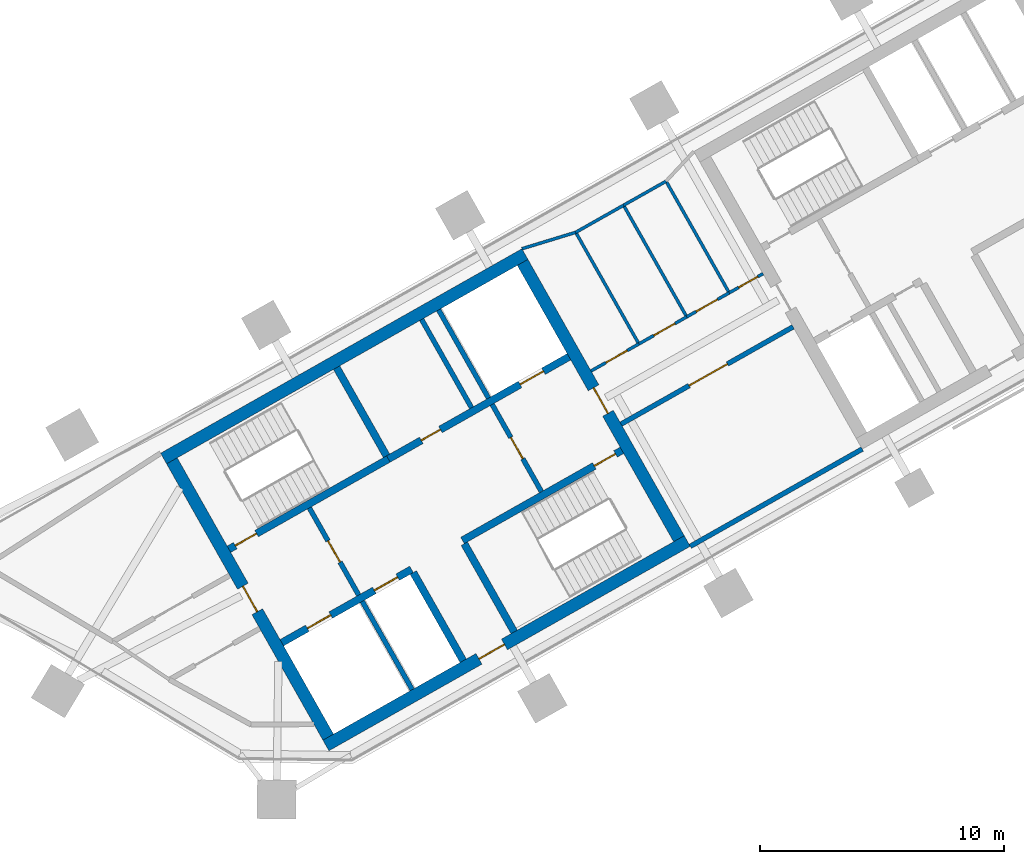
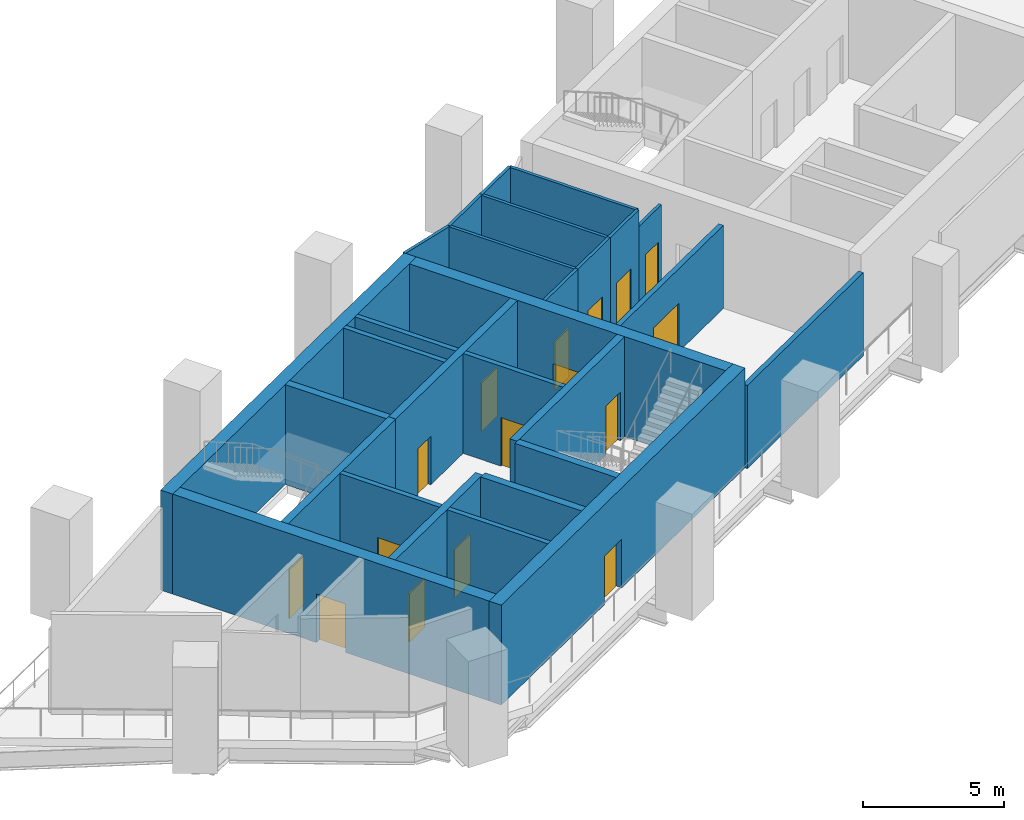
# One storey, part 3 of 8: 28 walls, 16 doors, 16 openings.
"""IFC4 building model written with IfcOpenShell, lengths in metres."""

from ifc_helpers import new_model, si_unit, direction, frame, frame_2d, origin, place, context, subcontext, project, spatial, rectangle, extrude, material, layer, layer_set, type_object, element, fill, save


model = new_model("IFC4")

# Units and contexts
model_context = context("Model", 3, precision=1e-05, world=origin(), true_north=direction((0.0, 1.0)))
body_context = subcontext(model_context, "Body", "Model", "MODEL_VIEW")
ifc_project = project(units=[si_unit("LENGTHUNIT", "METRE"), si_unit("AREAUNIT", "SQUARE_METRE"), si_unit("VOLUMEUNIT", "CUBIC_METRE"), si_unit("PLANEANGLEUNIT", "RADIAN"), si_unit("MASSUNIT", "GRAM", prefix="KILO")], contexts=[model_context])

# Site, building, storey
site_placement = place(None, origin())
site = spatial("IfcSite", under=ifc_project, at=site_placement, CompositionType="ELEMENT")
building_placement = place(site_placement, origin())
building = spatial("IfcBuilding", under=site, at=building_placement, Name="Binnacle Exchange Tower", CompositionType="ELEMENT")
storey_placement = place(building_placement, frame((0.0, 0.0, 202.89990234375)))
storey = spatial("IfcBuildingStorey", under=building, at=storey_placement, Name="L44", CompositionType="ELEMENT", Elevation=202.89990234375)

# Wall, openings, doors
ifc_material_1 = material(Name="Concrete C70/85", Category="concrete")
ifc_layer_1 = layer(ifc_material_1, 0.300048828125)
ifc_layer_set_1 = layer_set([ifc_layer_1], Name="Core wall - front 300")
wall_type_1 = type_object("IfcWallType", Name="Core wall - front 300", PredefinedType="SOLIDWALL", material=ifc_layer_set_1)
wall_1_placement = place(storey_placement, frame((-41.64306640625, 33.91162109375, 0.0), z_axis=(0.0, 0.0, 1.0), x_axis=(0.870343599782, 0.492444939378, 0.0)))
wall_1 = element("IfcWall", 1, at=wall_1_placement, inside=storey, type_object=wall_type_1, Name="Core wall CRWA2", PredefinedType="SOLIDWALL", context=body_context, shape_type="SweptSolid", body=[
    extrude(rectangle(XDim=6.10009765625, YDim=0.300048828125, at=frame_2d((3.050048828125, 0.0))), origin(), (0.0, 0.0, 1.0), 4.320068359375),
])
opening_1_placement = place(wall_1_placement, frame((1.199951171875, 0.0, 0.0)))
opening_1 = element("IfcOpeningElement", 2, at=opening_1_placement, cuts=wall_1, Name="Opening LD12", PredefinedType="OPENING", context=body_context, shape_type="SweptSolid", body=[
    extrude(rectangle(XDim=1.10009765625, YDim=2.10009765625, at=frame_2d((0.550048828125, 1.050048828125))), frame((0.0, 0.159912109375, 0.0), z_axis=(0.0, -1.0, 0.0), x_axis=(1.0, 0.0, 0.0)), (0.0, 0.0, 1.0), 0.320068359375),
])
opening_2_placement = place(wall_1_placement, frame((4.35009765625, 0.0, 0.0)))
opening_2 = element("IfcOpeningElement", 3, at=opening_2_placement, cuts=wall_1, Name="Opening LD8", PredefinedType="OPENING", context=body_context, shape_type="SweptSolid", body=[
    extrude(rectangle(XDim=1.10009765625, YDim=2.10009765625, at=frame_2d((0.550048828125, 1.050048828125))), frame((0.0, 0.159912109375, 0.0), z_axis=(0.0, -1.0, 0.0), x_axis=(1.0, 0.0, 0.0)), (0.0, 0.0, 1.0), 0.320068359375),
])
ifc_material_2 = material(Name="Steel door leaf", Category="steel")
door_type_1 = type_object("IfcDoorType", Name="Fire door - lift landing 1100", OperationType="NOTDEFINED", PredefinedType="DOOR", material=ifc_material_2)
door_1_placement = place(opening_1_placement, origin())
door_1 = element("IfcDoor", 4, at=door_1_placement, inside=storey, type_object=door_type_1, Name="Landing door LD12 L44", OperationType="DOUBLE_DOOR_SLIDING", OverallHeight=2.10009765625, OverallWidth=1.10009765625, PredefinedType="DOOR", context=body_context, shape_type="SweptSolid", body=[
    extrude(rectangle(XDim=1.10009765625, YDim=2.10009765625, at=frame_2d((0.550048828125, 1.050048828125))), frame((0.0, 0.02490234375, 0.0), z_axis=(0.0, -1.0, 0.0), x_axis=(1.0, 0.0, 0.0)), (0.0, 0.0, 1.0), 0.050048828125),
])
fill(opening_1, door_1)
door_2_placement = place(opening_2_placement, origin())
door_2 = element("IfcDoor", 5, at=door_2_placement, inside=storey, type_object=door_type_1, Name="Landing door LD8 L44", OperationType="DOUBLE_DOOR_SLIDING", OverallHeight=2.10009765625, OverallWidth=1.10009765625, PredefinedType="DOOR", context=body_context, shape_type="SweptSolid", body=[
    extrude(rectangle(XDim=1.10009765625, YDim=2.10009765625, at=frame_2d((0.550048828125, 1.050048828125))), frame((0.0, 0.02490234375, 0.0), z_axis=(0.0, -1.0, 0.0), x_axis=(1.0, 0.0, 0.0)), (0.0, 0.0, 1.0), 0.050048828125),
])
fill(opening_2, door_2)

wall_2_placement = place(storey_placement, frame((-37.281982421875, 41.4345703125, 0.0), z_axis=(0.0, 0.0, 1.0), x_axis=(0.870356271124, 0.492422543467, 0.0)))
wall_2 = element("IfcWall", 6, at=wall_2_placement, inside=storey, type_object=wall_type_1, Name="Core wall CRWA5", PredefinedType="SOLIDWALL", context=body_context, shape_type="SweptSolid", body=[
    extrude(rectangle(XDim=8.5, YDim=0.300048828125, at=frame_2d((4.25, 0.0))), origin(), (0.0, 0.0, 1.0), 4.320068359375),
])
opening_3_placement = place(wall_2_placement, frame((6.199951171875, 0.0, 0.0)))
opening_3 = element("IfcOpeningElement", 7, at=opening_3_placement, cuts=wall_2, Name="Opening LD13", PredefinedType="OPENING", context=body_context, shape_type="SweptSolid", body=[
    extrude(rectangle(XDim=1.10009765625, YDim=2.10009765625, at=frame_2d((0.550048828125, 1.050048828125))), frame((0.0, 0.159912109375, 0.0), z_axis=(0.0, -1.0, 0.0), x_axis=(1.0, 0.0, 0.0)), (0.0, 0.0, 1.0), 0.320068359375),
])
opening_4_placement = place(wall_2_placement, frame((1.550048828125, 0.0, 0.0)))
opening_4 = element("IfcOpeningElement", 8, at=opening_4_placement, cuts=wall_2, Name="Opening DA10", PredefinedType="OPENING", context=body_context, shape_type="SweptSolid", body=[
    extrude(rectangle(XDim=0.89990234375, YDim=2.10009765625, at=frame_2d((0.449951171875, 1.050048828125))), frame((0.0, 0.159912109375, 0.0), z_axis=(0.0, -1.0, 0.0), x_axis=(1.0, 0.0, 0.0)), (0.0, 0.0, 1.0), 0.320068359375),
])
door_3_placement = place(opening_3_placement, origin())
door_3 = element("IfcDoor", 9, at=door_3_placement, inside=storey, type_object=door_type_1, Name="Landing door LD13 L44", OperationType="DOUBLE_DOOR_SLIDING", OverallHeight=2.10009765625, OverallWidth=1.10009765625, PredefinedType="DOOR", context=body_context, shape_type="SweptSolid", body=[
    extrude(rectangle(XDim=1.10009765625, YDim=2.10009765625, at=frame_2d((0.550048828125, 1.050048828125))), frame((0.0, 0.02490234375, 0.0), z_axis=(0.0, -1.0, 0.0), x_axis=(1.0, 0.0, 0.0)), (0.0, 0.0, 1.0), 0.050048828125),
])
fill(opening_3, door_3)
door_type_2 = type_object("IfcDoorType", Name="Fire door 900", OperationType="NOTDEFINED", PredefinedType="DOOR", material=ifc_material_2)
door_4_placement = place(opening_4_placement, origin())
door_4 = element("IfcDoor", 10, at=door_4_placement, inside=storey, type_object=door_type_2, Name="Core room door PANTRY", OperationType="SINGLE_SWING_LEFT", OverallHeight=2.10009765625, OverallWidth=0.89990234375, PredefinedType="DOOR", context=body_context, shape_type="SweptSolid", body=[
    extrude(rectangle(XDim=0.89990234375, YDim=2.10009765625, at=frame_2d((0.449951171875, 1.050048828125))), frame((0.0, 0.02490234375, 0.0), z_axis=(0.0, -1.0, 0.0), x_axis=(1.0, 0.0, 0.0)), (0.0, 0.0, 1.0), 0.050048828125),
])
fill(opening_4, door_4)

# Wall
wall_3_placement = place(storey_placement, frame((-36.260009765625, 36.784912109375, 0.0), z_axis=(0.0, 0.0, 1.0), x_axis=(0.492421666909, -0.870356767055, 0.0)))
element("IfcWall", 11, at=wall_3_placement, inside=storey, type_object=wall_type_1, Name="Core wall CRWA13", PredefinedType="SOLIDWALL", context=body_context, shape_type="SweptSolid", body=[
    extrude(rectangle(XDim=4.14990234375, YDim=0.300048828125, at=frame_2d((2.074951171875, 0.0))), origin(), (0.0, 0.0, 1.0), 4.320068359375),
])

# Wall, opening, door
ifc_layer_2 = layer(ifc_material_1, 0.5)
ifc_layer_set_2 = layer_set([ifc_layer_2], Name="Core wall - outer 500")
wall_type_2 = type_object("IfcWallType", Name="Core wall - outer 500", PredefinedType="SOLIDWALL", material=ifc_layer_set_2)
wall_4_placement = place(storey_placement, frame((-39.837646484375, 29.705322265625, 0.0), z_axis=(0.0, 0.0, 1.0), x_axis=(0.870350116061, 0.492433422375, 0.0)))
wall_4 = element("IfcWall", 12, at=wall_4_placement, inside=storey, type_object=wall_type_2, Name="Core wall CRWA1", PredefinedType="SOLIDWALL", context=body_context, shape_type="SweptSolid", body=[
    extrude(rectangle(XDim=17.0, YDim=0.5, at=frame_2d((8.5, 0.0))), origin(), (0.0, 0.0, 1.0), 4.320068359375),
])
opening_5_placement = place(wall_4_placement, frame((7.199951171875, 0.0, 0.0)))
opening_5 = element("IfcOpeningElement", 13, at=opening_5_placement, cuts=wall_4, Name="Opening DA7", PredefinedType="OPENING", context=body_context, shape_type="SweptSolid", body=[
    extrude(rectangle(XDim=1.199951171875, YDim=2.10009765625, at=frame_2d((0.60009765625, 1.050048828125))), frame((0.0, 0.260009765625, 0.0), z_axis=(0.0, -1.0, 0.0), x_axis=(1.0, 0.0, 0.0)), (0.0, 0.0, 1.0), 0.52001953125),
])
door_type_3 = type_object("IfcDoorType", Name="Fire door 1200", OperationType="NOTDEFINED", PredefinedType="DOOR", material=ifc_material_2)
door_5_placement = place(opening_5_placement, frame((1.199951171875, 0.0, 0.0), z_axis=(0.0, 0.0, 1.0), x_axis=(-1.0, 0.0, 0.0)))
door_5 = element("IfcDoor", 14, at=door_5_placement, inside=storey, type_object=door_type_3, Name="Lift lobby entrance door core A", OperationType="SINGLE_SWING_RIGHT", OverallHeight=2.10009765625, OverallWidth=1.199951171875, PredefinedType="DOOR", context=body_context, shape_type="SweptSolid", body=[
    extrude(rectangle(XDim=1.199951171875, YDim=2.10009765625, at=frame_2d((0.60009765625, 1.050048828125))), frame((0.0, 0.02490234375, 0.0), z_axis=(0.0, -1.0, 0.0), x_axis=(1.0, 0.0, 0.0)), (0.0, 0.0, 1.0), 0.050048828125),
])
fill(opening_5, door_5)

# Wall
wall_5_placement = place(storey_placement, frame((-46.485595703125, 41.455078125, 0.0), z_axis=(0.0, 0.0, 1.0), x_axis=(0.870353598469, 0.492427267353, 0.0)))
element("IfcWall", 15, at=wall_5_placement, inside=storey, type_object=wall_type_2, Name="Core wall CRWA6", PredefinedType="SOLIDWALL", context=body_context, shape_type="SweptSolid", body=[
    extrude(rectangle(XDim=17.000244140625, YDim=0.5, at=frame_2d((8.5, 0.0))), origin(), (0.0, 0.0, 1.0), 4.320068359375),
])

# Wall, opening, door
wall_6_placement = place(storey_placement, frame((-46.144775390625, 41.360595703125, 0.0), z_axis=(0.0, 0.0, 1.0), x_axis=(0.492435316254, -0.870349044525, 0.0)))
wall_6 = element("IfcWall", 16, at=wall_6_placement, inside=storey, type_object=wall_type_2, Name="Core wall CRWA7", PredefinedType="SOLIDWALL", context=body_context, shape_type="SweptSolid", body=[
    extrude(rectangle(XDim=13.0, YDim=0.5, at=frame_2d((6.5, 0.0))), origin(), (0.0, 0.0, 1.0), 4.320068359375),
])
opening_6_placement = place(wall_6_placement, frame((5.89990234375, 0.0, 0.0)))
opening_6 = element("IfcOpeningElement", 17, at=opening_6_placement, cuts=wall_6, Name="Opening DA5", PredefinedType="OPENING", context=body_context, shape_type="SweptSolid", body=[
    extrude(rectangle(XDim=1.199951171875, YDim=2.10009765625, at=frame_2d((0.60009765625, 1.050048828125))), frame((0.0, 0.260009765625, 0.0), z_axis=(0.0, -1.0, 0.0), x_axis=(1.0, 0.0, 0.0)), (0.0, 0.0, 1.0), 0.52001953125),
])
door_6_placement = place(opening_6_placement, frame((1.199951171875, 0.0, 0.0), z_axis=(0.0, 0.0, 1.0), x_axis=(-1.0, 0.0, 0.0)))
door_6 = element("IfcDoor", 18, at=door_6_placement, inside=storey, type_object=door_type_3, Name="Vestibule exit door VEST-W", OperationType="SINGLE_SWING_RIGHT", OverallHeight=2.10009765625, OverallWidth=1.199951171875, PredefinedType="DOOR", context=body_context, shape_type="SweptSolid", body=[
    extrude(rectangle(XDim=1.199951171875, YDim=2.10009765625, at=frame_2d((0.60009765625, 1.050048828125))), frame((0.0, 0.02490234375, 0.0), z_axis=(0.0, -1.0, 0.0), x_axis=(1.0, 0.0, 0.0)), (0.0, 0.0, 1.0), 0.050048828125),
])
fill(opening_6, door_6)

wall_7_placement = place(storey_placement, frame((-31.783935546875, 49.485595703125, 0.0), z_axis=(0.0, 0.0, 1.0), x_axis=(0.492435316254, -0.870349044525, 0.0)))
wall_7 = element("IfcWall", 19, at=wall_7_placement, inside=storey, type_object=wall_type_2, Name="Core wall CRWA22", PredefinedType="SOLIDWALL", context=body_context, shape_type="SweptSolid", body=[
    extrude(rectangle(XDim=13.0, YDim=0.5, at=frame_2d((6.5, 0.0))), origin(), (0.0, 0.0, 1.0), 4.320068359375),
])
opening_7_placement = place(wall_7_placement, frame((5.89990234375, 0.0, 0.0)))
opening_7 = element("IfcOpeningElement", 20, at=opening_7_placement, cuts=wall_7, Name="Opening DA6", PredefinedType="OPENING", context=body_context, shape_type="SweptSolid", body=[
    extrude(rectangle(XDim=1.199951171875, YDim=2.10009765625, at=frame_2d((0.60009765625, 1.050048828125))), frame((0.0, 0.260009765625, 0.0), z_axis=(0.0, -1.0, 0.0), x_axis=(1.0, 0.0, 0.0)), (0.0, 0.0, 1.0), 0.52001953125),
])
door_7_placement = place(opening_7_placement, origin())
door_7 = element("IfcDoor", 21, at=door_7_placement, inside=storey, type_object=door_type_3, Name="Vestibule exit door VEST-E", OperationType="SINGLE_SWING_RIGHT", OverallHeight=2.10009765625, OverallWidth=1.199951171875, PredefinedType="DOOR", context=body_context, shape_type="SweptSolid", body=[
    extrude(rectangle(XDim=1.199951171875, YDim=2.10009765625, at=frame_2d((0.60009765625, 1.050048828125))), frame((0.0, 0.02490234375, 0.0), z_axis=(0.0, -1.0, 0.0), x_axis=(1.0, 0.0, 0.0)), (0.0, 0.0, 1.0), 0.050048828125),
])
fill(opening_7, door_7)

ifc_layer_3 = layer(ifc_material_1, 0.300048828125)
ifc_layer_set_3 = layer_set([ifc_layer_3], Name="Core wall - stair 300")
wall_type_3 = type_object("IfcWallType", Name="Core wall - stair 300", PredefinedType="SOLIDWALL", material=ifc_layer_set_3)
wall_8_placement = place(storey_placement, frame((-34.2451171875, 38.097412109375, 0.0), z_axis=(0.0, 0.0, 1.0), x_axis=(0.870364520461, 0.492407962489, 0.0)))
wall_8 = element("IfcWall", 22, at=wall_8_placement, inside=storey, type_object=wall_type_3, Name="Core wall CRWA3", PredefinedType="SOLIDWALL", context=body_context, shape_type="SweptSolid", body=[
    extrude(rectangle(XDim=7.5, YDim=0.300048828125, at=frame_2d((3.75, 0.0))), origin(), (0.0, 0.0, 1.0), 4.320068359375),
])
opening_8_placement = place(wall_8_placement, frame((6.199951171875, 0.0, 0.0)))
opening_8 = element("IfcOpeningElement", 23, at=opening_8_placement, cuts=wall_8, Name="Opening DA2", PredefinedType="OPENING", context=body_context, shape_type="SweptSolid", body=[
    extrude(rectangle(XDim=1.0, YDim=2.10009765625, at=frame_2d((0.5, 1.050048828125))), frame((0.0, 0.159912109375, 0.0), z_axis=(0.0, -1.0, 0.0), x_axis=(1.0, 0.0, 0.0)), (0.0, 0.0, 1.0), 0.320068359375),
])
door_type_4 = type_object("IfcDoorType", Name="Fire door 1000", OperationType="NOTDEFINED", PredefinedType="DOOR", material=ifc_material_2)
door_8_placement = place(opening_8_placement, frame((1.0, 0.0, 0.0), z_axis=(0.0, 0.0, 1.0), x_axis=(-1.0, 0.0, 0.0)))
door_8 = element("IfcDoor", 24, at=door_8_placement, inside=storey, type_object=door_type_4, Name="Stair door ST-A2", OperationType="SINGLE_SWING_LEFT", OverallHeight=2.10009765625, OverallWidth=1.0, PredefinedType="DOOR", context=body_context, shape_type="SweptSolid", body=[
    extrude(rectangle(XDim=1.0, YDim=2.10009765625, at=frame_2d((0.5, 1.050048828125))), frame((0.0, 0.02490234375, 0.0), z_axis=(0.0, -1.0, 0.0), x_axis=(1.0, 0.0, 0.0)), (0.0, 0.0, 1.0), 0.050048828125),
])
fill(opening_8, door_8)

wall_9_placement = place(storey_placement, frame((-43.809814453125, 37.7412109375, 0.0), z_axis=(0.0, 0.0, 1.0), x_axis=(0.870350569555, 0.492432620848, 0.0)))
wall_9 = element("IfcWall", 25, at=wall_9_placement, inside=storey, type_object=wall_type_3, Name="Core wall CRWA4", PredefinedType="SOLIDWALL", context=body_context, shape_type="SweptSolid", body=[
    extrude(rectangle(XDim=7.500244140625, YDim=0.300048828125, at=frame_2d((3.75, 0.0))), origin(), (0.0, 0.0, 1.0), 4.320068359375),
])
opening_9_placement = place(wall_9_placement, frame((0.2998046875, 0.0, 0.0)))
opening_9 = element("IfcOpeningElement", 26, at=opening_9_placement, cuts=wall_9, Name="Opening DA1", PredefinedType="OPENING", context=body_context, shape_type="SweptSolid", body=[
    extrude(rectangle(XDim=1.0, YDim=2.10009765625, at=frame_2d((0.5, 1.050048828125))), frame((0.0, 0.159912109375, 0.0), z_axis=(0.0, -1.0, 0.0), x_axis=(1.0, 0.0, 0.0)), (0.0, 0.0, 1.0), 0.320068359375),
])
door_9_placement = place(opening_9_placement, origin())
door_9 = element("IfcDoor", 27, at=door_9_placement, inside=storey, type_object=door_type_4, Name="Stair door ST-A1", OperationType="SINGLE_SWING_LEFT", OverallHeight=2.10009765625, OverallWidth=1.0, PredefinedType="DOOR", context=body_context, shape_type="SweptSolid", body=[
    extrude(rectangle(XDim=1.0, YDim=2.10009765625, at=frame_2d((0.5, 1.050048828125))), frame((0.0, 0.02490234375, 0.0), z_axis=(0.0, -1.0, 0.0), x_axis=(1.0, 0.0, 0.0)), (0.0, 0.0, 1.0), 0.050048828125),
])
fill(opening_9, door_9)

# Walls
for number, where, z_axis, x_axis, name in (
    (28, (-39.3994140625, 45.177001953125, 0.0), (0.0, 0.0, 1.0), (0.492396453737, -0.870371031427, 0.0), "Core wall CRWA14"),
    (29, (-34.171142578125, 37.966796875, 0.0), (0.0, 0.0, 1.0), (0.492396453737, -0.870371031427, 0.0), "Core wall CRWA16"),
):
    element("IfcWall", number, at=place(storey_placement, frame(where, z_axis=z_axis, x_axis=x_axis)), inside=storey, type_object=wall_type_3, Name=name, PredefinedType="SOLIDWALL", context=body_context, shape_type="SweptSolid", body=[
        extrude(rectangle(XDim=4.14990234375, YDim=0.300048828125, at=frame_2d((2.074951171875, 0.0))), origin(), (0.0, 0.0, 1.0), 4.320068359375),
    ])

# Wall, opening, door
ifc_material_3 = material(Name="Masonry block wall", Category="masonry")
ifc_layer_4 = layer(ifc_material_3, 0.199951171875)
ifc_layer_set_4 = layer_set([ifc_layer_4], Name="Fire wall - block 200")
wall_type_4 = type_object("IfcWallType", Name="Fire wall - block 200", PredefinedType="PARTITIONING", material=ifc_layer_set_4)
wall_10_placement = place(storey_placement, frame((-27.75, 42.864013671875, 0.0), z_axis=(0.0, 0.0, 1.0), x_axis=(0.870370568162, 0.492397272614, 0.0)))
wall_10 = element("IfcWall", 30, at=wall_10_placement, inside=storey, type_object=wall_type_4, Name="Partition W12", PredefinedType="PARTITIONING", context=body_context, shape_type="SweptSolid", body=[
    extrude(rectangle(XDim=8.0908203125, YDim=0.199951171875, at=frame_2d((4.04541015625, 0.0))), origin(), (0.0, 0.0, 1.0), 3.592041015625),
])
opening_10_placement = place(wall_10_placement, frame((3.199951171875, 0.0, 0.0)))
opening_10 = element("IfcOpeningElement", 31, at=opening_10_placement, cuts=wall_10, Name="Opening DL44-07", PredefinedType="OPENING", context=body_context, shape_type="SweptSolid", body=[
    extrude(rectangle(XDim=1.800048828125, YDim=2.10009765625, at=frame_2d((0.89990234375, 1.050048828125))), frame((0.0, 0.10986328125, 0.0), z_axis=(0.0, -1.0, 0.0), x_axis=(1.0, 0.0, 0.0)), (0.0, 0.0, 1.0), 0.219970703125),
])
door_type_5 = type_object("IfcDoorType", Name="Fire door 1800", OperationType="NOTDEFINED", PredefinedType="DOOR", material=ifc_material_2)
door_10_placement = place(opening_10_placement, frame((1.800048828125, 0.0, 0.0), z_axis=(0.0, 0.0, 1.0), x_axis=(-1.0, 0.0, 0.0)))
door_10 = element("IfcDoor", 32, at=door_10_placement, inside=storey, type_object=door_type_5, Name="Door DL44-07", OperationType="DOUBLE_DOOR_SINGLE_SWING", OverallHeight=2.10009765625, OverallWidth=1.800048828125, PredefinedType="DOOR", context=body_context, shape_type="SweptSolid", body=[
    extrude(rectangle(XDim=1.800048828125, YDim=2.10009765625, at=frame_2d((0.89990234375, 1.050048828125))), frame((0.0, 0.02490234375, 0.0), z_axis=(0.0, -1.0, 0.0), x_axis=(1.0, 0.0, 0.0)), (0.0, 0.0, 1.0), 0.050048828125),
])
fill(opening_10, door_10)

# Wall
wall_11_placement = place(storey_placement, frame((-24.9189453125, 37.85888671875, 0.0), z_axis=(0.0, 0.0, 1.0), x_axis=(0.870357635969, 0.492420131098, 0.0)))
element("IfcWall", 33, at=wall_11_placement, inside=storey, type_object=wall_type_4, Name="Partition W19", PredefinedType="PARTITIONING", context=body_context, shape_type="SweptSolid", body=[
    extrude(rectangle(XDim=8.0908203125, YDim=0.199951171875, at=frame_2d((4.04541015625, 0.0))), origin(), (0.0, 0.0, 1.0), 3.592041015625),
])

# Wall, opening, door
ifc_layer_5 = layer(ifc_material_3, 0.199951171875)
ifc_layer_set_5 = layer_set([ifc_layer_5], Name="Fire wall - vestibule 200")
wall_type_5 = type_object("IfcWallType", Name="Fire wall - vestibule 200", PredefinedType="PARTITIONING", material=ifc_layer_set_5)
wall_12_placement = place(storey_placement, frame((-40.515625, 39.4326171875, 0.0), z_axis=(0.0, 0.0, 1.0), x_axis=(0.492453559952, -0.87033872216, 0.0)))
wall_12 = element("IfcWall", 34, at=wall_12_placement, inside=storey, type_object=wall_type_5, Name="Core wall CRWA10", PredefinedType="PARTITIONING", context=body_context, shape_type="SweptSolid", body=[
    extrude(rectangle(XDim=4.099853515625, YDim=0.199951171875, at=frame_2d((2.0498046875, 0.0))), origin(), (0.0, 0.0, 1.0), 4.320068359375),
])
opening_11_placement = place(wall_12_placement, frame((1.550048828125, 0.0, 0.0)))
opening_11 = element("IfcOpeningElement", 35, at=opening_11_placement, cuts=wall_12, Name="Opening DA3", PredefinedType="OPENING", context=body_context, shape_type="SweptSolid", body=[
    extrude(rectangle(XDim=1.0, YDim=2.10009765625, at=frame_2d((0.5, 1.050048828125))), frame((0.0, 0.10986328125, 0.0), z_axis=(0.0, -1.0, 0.0), x_axis=(1.0, 0.0, 0.0)), (0.0, 0.0, 1.0), 0.219970703125),
])
door_11_placement = place(opening_11_placement, frame((1.0, 0.0, 0.0), z_axis=(0.0, 0.0, 1.0), x_axis=(-1.0, 0.0, 0.0)))
door_11 = element("IfcDoor", 36, at=door_11_placement, inside=storey, type_object=door_type_4, Name="Vestibule door VEST-W", OperationType="SINGLE_SWING_LEFT", OverallHeight=2.10009765625, OverallWidth=1.0, PredefinedType="DOOR", context=body_context, shape_type="SweptSolid", body=[
    extrude(rectangle(XDim=1.0, YDim=2.10009765625, at=frame_2d((0.5, 1.050048828125))), frame((0.0, 0.02490234375, 0.0), z_axis=(0.0, -1.0, 0.0), x_axis=(1.0, 0.0, 0.0)), (0.0, 0.0, 1.0), 0.050048828125),
])
fill(opening_11, door_11)

wall_13_placement = place(storey_placement, frame((-33.030517578125, 43.66748046875, 0.0), z_axis=(0.0, 0.0, 1.0), x_axis=(0.492408451753, -0.87036424366, 0.0)))
wall_13 = element("IfcWall", 37, at=wall_13_placement, inside=storey, type_object=wall_type_5, Name="Core wall CRWA19", PredefinedType="PARTITIONING", context=body_context, shape_type="SweptSolid", body=[
    extrude(rectangle(XDim=4.099853515625, YDim=0.199951171875, at=frame_2d((2.0498046875, 0.0))), origin(), (0.0, 0.0, 1.0), 4.320068359375),
])
opening_12_placement = place(wall_13_placement, frame((1.550048828125, 0.0, 0.0)))
opening_12 = element("IfcOpeningElement", 38, at=opening_12_placement, cuts=wall_13, Name="Opening DA4", PredefinedType="OPENING", context=body_context, shape_type="SweptSolid", body=[
    extrude(rectangle(XDim=1.0, YDim=2.10009765625, at=frame_2d((0.5, 1.050048828125))), frame((0.0, 0.10986328125, 0.0), z_axis=(0.0, -1.0, 0.0), x_axis=(1.0, 0.0, 0.0)), (0.0, 0.0, 1.0), 0.219970703125),
])
door_12_placement = place(opening_12_placement, origin())
door_12 = element("IfcDoor", 39, at=door_12_placement, inside=storey, type_object=door_type_4, Name="Vestibule door VEST-E", OperationType="SINGLE_SWING_RIGHT", OverallHeight=2.10009765625, OverallWidth=1.0, PredefinedType="DOOR", context=body_context, shape_type="SweptSolid", body=[
    extrude(rectangle(XDim=1.0, YDim=2.10009765625, at=frame_2d((0.5, 1.050048828125))), frame((0.0, 0.02490234375, 0.0), z_axis=(0.0, -1.0, 0.0), x_axis=(1.0, 0.0, 0.0)), (0.0, 0.0, 1.0), 0.050048828125),
])
fill(opening_12, door_12)

# Walls
ifc_material_4 = material(Name="Gypsum partition")
ifc_layer_6 = layer(ifc_material_4, 0.125)
ifc_layer_set_6 = layer_set([ifc_layer_6], Name="Partition 125")
wall_type_6 = type_object("IfcWallType", Name="Partition 125", PredefinedType="PARTITIONING", material=ifc_layer_set_6)
wall_14_placement = place(storey_placement, frame((-31.81201171875, 50.0439453125, 0.0), z_axis=(0.0, 0.0, 1.0), x_axis=(0.956397612161, 0.292067813107, 0.0)))
element("IfcWall", 40, at=wall_14_placement, inside=storey, type_object=wall_type_6, Name="Partition W08", PredefinedType="PARTITIONING", context=body_context, shape_type="SweptSolid", body=[
    extrude(rectangle(XDim=2.3046875, YDim=0.125, at=frame_2d((1.15234375, 0.0))), origin(), (0.0, 0.0, 1.0), 4.320068359375),
])
wall_15_placement = place(storey_placement, frame((-29.60791015625, 50.717041015625, 0.0), z_axis=(0.0, 0.0, 1.0), x_axis=(0.870332332106, 0.492464853254, 0.0)))
element("IfcWall", 41, at=wall_15_placement, inside=storey, type_object=wall_type_6, Name="Partition W09", PredefinedType="PARTITIONING", context=body_context, shape_type="SweptSolid", body=[
    extrude(rectangle(XDim=2.249755859375, YDim=0.125, at=frame_2d((1.125, 0.0))), origin(), (0.0, 0.0, 1.0), 4.320068359375),
])
wall_16_placement = place(storey_placement, frame((-29.60791015625, 50.717041015625, 0.0), z_axis=(0.0, 0.0, 1.0), x_axis=(0.492328430905, -0.870409510588, 0.0)))
element("IfcWall", 42, at=wall_16_placement, inside=storey, type_object=wall_type_6, Name="Partition W10", PredefinedType="PARTITIONING", context=body_context, shape_type="SweptSolid", body=[
    extrude(rectangle(XDim=5.25048828125, YDim=0.125, at=frame_2d((2.625244140625, 0.0))), origin(), (0.0, 0.0, 1.0), 4.320068359375),
])

# Wall, opening, door
wall_17_placement = place(storey_placement, frame((-28.98095703125, 45.0390625, 0.0), z_axis=(0.0, 0.0, 1.0), x_axis=(0.870332332106, 0.492464853254, 0.0)))
wall_17 = element("IfcWall", 43, at=wall_17_placement, inside=storey, type_object=wall_type_6, Name="Partition W11", PredefinedType="PARTITIONING", context=body_context, shape_type="SweptSolid", body=[
    extrude(rectangle(XDim=2.249755859375, YDim=0.125, at=frame_2d((1.125, 0.0))), origin(), (0.0, 0.0, 1.0), 4.320068359375),
])
opening_13_placement = place(wall_17_placement, frame((0.699951171875, 0.0, 0.0)))
opening_13 = element("IfcOpeningElement", 44, at=opening_13_placement, cuts=wall_17, Name="Opening DL44-03", PredefinedType="OPENING", context=body_context, shape_type="SweptSolid", body=[
    extrude(rectangle(XDim=1.0, YDim=2.10009765625, at=frame_2d((0.5, 1.050048828125))), frame((0.0, 0.072509765625, 0.0), z_axis=(0.0, -1.0, 0.0), x_axis=(1.0, 0.0, 0.0)), (0.0, 0.0, 1.0), 0.14501953125),
])
ifc_material_5 = material(Name="Timber door leaf", Category="wood")
door_type_6 = type_object("IfcDoorType", Name="Door 1000", OperationType="NOTDEFINED", PredefinedType="DOOR", material=ifc_material_5)
door_13_placement = place(opening_13_placement, origin())
door_13 = element("IfcDoor", 45, at=door_13_placement, inside=storey, type_object=door_type_6, Name="Door DL44-03", OperationType="SINGLE_SWING_RIGHT", OverallHeight=2.10009765625, OverallWidth=1.0, PredefinedType="DOOR", context=body_context, shape_type="SweptSolid", body=[
    extrude(rectangle(XDim=1.0, YDim=2.10009765625, at=frame_2d((0.5, 1.050048828125))), frame((0.0, 0.02490234375, 0.0), z_axis=(0.0, -1.0, 0.0), x_axis=(1.0, 0.0, 0.0)), (0.0, 0.0, 1.0), 0.050048828125),
])
fill(opening_13, door_13)

# Walls
wall_18_placement = place(storey_placement, frame((-27.64990234375, 51.824951171875, 0.0), z_axis=(0.0, 0.0, 1.0), x_axis=(0.870330884088, 0.492467412326, 0.0)))
element("IfcWall", 46, at=wall_18_placement, inside=storey, type_object=wall_type_6, Name="Partition W13", PredefinedType="PARTITIONING", context=body_context, shape_type="SweptSolid", body=[
    extrude(rectangle(XDim=2.000244140625, YDim=0.125, at=frame_2d((1.0, 0.0))), origin(), (0.0, 0.0, 1.0), 4.320068359375),
])
wall_19_placement = place(storey_placement, frame((-27.64990234375, 51.824951171875, 0.0), z_axis=(0.0, 0.0, 1.0), x_axis=(0.492469323632, -0.870329802593, 0.0)))
element("IfcWall", 47, at=wall_19_placement, inside=storey, type_object=wall_type_6, Name="Partition W14", PredefinedType="PARTITIONING", context=body_context, shape_type="SweptSolid", body=[
    extrude(rectangle(XDim=5.2509765625, YDim=0.125, at=frame_2d((2.62548828125, 0.0))), origin(), (0.0, 0.0, 1.0), 4.320068359375),
])

# Wall, opening, door
wall_20_placement = place(storey_placement, frame((-27.02294921875, 46.14697265625, 0.0), z_axis=(0.0, 0.0, 1.0), x_axis=(0.870437546499, 0.492278861667, 0.0)))
wall_20 = element("IfcWall", 48, at=wall_20_placement, inside=storey, type_object=wall_type_6, Name="Partition W15", PredefinedType="PARTITIONING", context=body_context, shape_type="SweptSolid", body=[
    extrude(rectangle(XDim=2.25048828125, YDim=0.125, at=frame_2d((1.125244140625, 0.0))), origin(), (0.0, 0.0, 1.0), 4.320068359375),
])
opening_14_placement = place(wall_20_placement, frame((0.699951171875, 0.0, 0.0)))
opening_14 = element("IfcOpeningElement", 49, at=opening_14_placement, cuts=wall_20, Name="Opening DL44-04", PredefinedType="OPENING", context=body_context, shape_type="SweptSolid", body=[
    extrude(rectangle(XDim=1.0, YDim=2.10009765625, at=frame_2d((0.5, 1.050048828125))), frame((0.0, 0.072509765625, 0.0), z_axis=(0.0, -1.0, 0.0), x_axis=(1.0, 0.0, 0.0)), (0.0, 0.0, 1.0), 0.14501953125),
])
door_14_placement = place(opening_14_placement, origin())
door_14 = element("IfcDoor", 50, at=door_14_placement, inside=storey, type_object=door_type_6, Name="Door DL44-04", OperationType="SINGLE_SWING_RIGHT", OverallHeight=2.10009765625, OverallWidth=1.0, PredefinedType="DOOR", context=body_context, shape_type="SweptSolid", body=[
    extrude(rectangle(XDim=1.0, YDim=2.10009765625, at=frame_2d((0.5, 1.050048828125))), frame((0.0, 0.02490234375, 0.0), z_axis=(0.0, -1.0, 0.0), x_axis=(1.0, 0.0, 0.0)), (0.0, 0.0, 1.0), 0.050048828125),
])
fill(opening_14, door_14)

# Wall
wall_21_placement = place(storey_placement, frame((-25.908935546875, 52.81005859375, 0.0), z_axis=(0.0, 0.0, 1.0), x_axis=(0.492328430905, -0.870409510588, 0.0)))
element("IfcWall", 51, at=wall_21_placement, inside=storey, type_object=wall_type_6, Name="Partition W17", PredefinedType="PARTITIONING", context=body_context, shape_type="SweptSolid", body=[
    extrude(rectangle(XDim=5.25048828125, YDim=0.125, at=frame_2d((2.625244140625, 0.0))), origin(), (0.0, 0.0, 1.0), 4.320068359375),
])

# Wall, opening, door
wall_22_placement = place(storey_placement, frame((-25.06396484375, 47.2548828125, 0.0), z_axis=(0.0, 0.0, 1.0), x_axis=(0.87021240934, 0.492676732382, 0.0)))
wall_22 = element("IfcWall", 52, at=wall_22_placement, inside=storey, type_object=wall_type_6, Name="Partition W18", PredefinedType="PARTITIONING", context=body_context, shape_type="SweptSolid", body=[
    extrude(rectangle(XDim=1.99951171875, YDim=0.125, at=frame_2d((0.999755859375, 0.0))), origin(), (0.0, 0.0, 1.0), 4.320068359375),
])
opening_15_placement = place(wall_22_placement, frame((0.449951171875, 0.0, 0.0)))
opening_15 = element("IfcOpeningElement", 53, at=opening_15_placement, cuts=wall_22, Name="Opening DL44-05", PredefinedType="OPENING", context=body_context, shape_type="SweptSolid", body=[
    extrude(rectangle(XDim=1.0, YDim=2.10009765625, at=frame_2d((0.5, 1.050048828125))), frame((0.0, 0.072509765625, 0.0), z_axis=(0.0, -1.0, 0.0), x_axis=(1.0, 0.0, 0.0)), (0.0, 0.0, 1.0), 0.14501953125),
])
door_15_placement = place(opening_15_placement, origin())
door_15 = element("IfcDoor", 54, at=door_15_placement, inside=storey, type_object=door_type_6, Name="Door DL44-05", OperationType="SINGLE_SWING_LEFT", OverallHeight=2.10009765625, OverallWidth=1.0, PredefinedType="DOOR", context=body_context, shape_type="SweptSolid", body=[
    extrude(rectangle(XDim=1.0, YDim=2.10009765625, at=frame_2d((0.5, 1.050048828125))), frame((0.0, 0.02490234375, 0.0), z_axis=(0.0, -1.0, 0.0), x_axis=(1.0, 0.0, 0.0)), (0.0, 0.0, 1.0), 0.050048828125),
])
fill(opening_15, door_15)

wall_23_placement = place(storey_placement, frame((-23.323974609375, 48.239990234375, 0.0), z_axis=(0.0, 0.0, 1.0), x_axis=(0.870265540569, 0.492582875157, 0.0)))
wall_23 = element("IfcWall", 55, at=wall_23_placement, inside=storey, type_object=wall_type_6, Name="Partition W20", PredefinedType="PARTITIONING", context=body_context, shape_type="SweptSolid", body=[
    extrude(rectangle(XDim=1.591552734375, YDim=0.125, at=frame_2d((0.7958984375, 0.0))), origin(), (0.0, 0.0, 1.0), 3.592041015625),
])
opening_16_placement = place(wall_23_placement, frame((0.449951171875, 0.0, 0.0)))
opening_16 = element("IfcOpeningElement", 56, at=opening_16_placement, cuts=wall_23, Name="Opening DL44-06", PredefinedType="OPENING", context=body_context, shape_type="SweptSolid", body=[
    extrude(rectangle(XDim=0.89990234375, YDim=2.10009765625, at=frame_2d((0.449951171875, 1.050048828125))), frame((0.0, 0.072509765625, 0.0), z_axis=(0.0, -1.0, 0.0), x_axis=(1.0, 0.0, 0.0)), (0.0, 0.0, 1.0), 0.14501953125),
])
door_type_7 = type_object("IfcDoorType", Name="Door 900", OperationType="NOTDEFINED", PredefinedType="DOOR", material=ifc_material_5)
door_16_placement = place(opening_16_placement, origin())
door_16 = element("IfcDoor", 57, at=door_16_placement, inside=storey, type_object=door_type_7, Name="Door DL44-06", OperationType="SINGLE_SWING_RIGHT", OverallHeight=2.10009765625, OverallWidth=0.89990234375, PredefinedType="DOOR", context=body_context, shape_type="SweptSolid", body=[
    extrude(rectangle(XDim=0.89990234375, YDim=2.10009765625, at=frame_2d((0.449951171875, 1.050048828125))), frame((0.0, 0.02490234375, 0.0), z_axis=(0.0, -1.0, 0.0), x_axis=(1.0, 0.0, 0.0)), (0.0, 0.0, 1.0), 0.050048828125),
])
fill(opening_16, door_16)

# Walls
ifc_layer_7 = layer(ifc_material_3, 0.199951171875)
ifc_layer_set_7 = layer_set([ifc_layer_7], Name="Riser wall 200")
wall_type_7 = type_object("IfcWallType", Name="Riser wall 200", PredefinedType="SOLIDWALL", material=ifc_layer_set_7)
wall_24_placement = place(storey_placement, frame((-35.918212890625, 47.146728515625, 0.0), z_axis=(0.0, 0.0, 1.0), x_axis=(0.492441017253, -0.870345818929, 0.0)))
element("IfcWall", 58, at=wall_24_placement, inside=storey, type_object=wall_type_7, Name="Core wall CRWA18", PredefinedType="SOLIDWALL", context=body_context, shape_type="SweptSolid", body=[
    extrude(rectangle(XDim=4.150146484375, YDim=0.199951171875, at=frame_2d((2.0751953125, 0.0))), origin(), (0.0, 0.0, 1.0), 4.320068359375),
])
wall_25_placement = place(storey_placement, frame((-35.2216796875, 47.54052734375, 0.0), z_axis=(0.0, 0.0, 1.0), x_axis=(0.492421666909, -0.870356767055, 0.0)))
element("IfcWall", 59, at=wall_25_placement, inside=storey, type_object=wall_type_7, Name="Core wall CRWA20", PredefinedType="SOLIDWALL", context=body_context, shape_type="SweptSolid", body=[
    extrude(rectangle(XDim=4.14990234375, YDim=0.199951171875, at=frame_2d((2.074951171875, 0.0))), origin(), (0.0, 0.0, 1.0), 4.320068359375),
])
ifc_layer_8 = layer(ifc_material_3, 0.199951171875)
ifc_layer_set_8 = layer_set([ifc_layer_8], Name="Shaft wall 200")
wall_type_8 = type_object("IfcWallType", Name="Shaft wall 200", PredefinedType="SOLIDWALL", material=ifc_layer_set_8)
wall_26_placement = place(storey_placement, frame((-38.348876953125, 35.603271484375, 0.0), z_axis=(0.0, 0.0, 1.0), x_axis=(0.492396453737, -0.870371031427, 0.0)))
element("IfcWall", 60, at=wall_26_placement, inside=storey, type_object=wall_type_8, Name="Core wall CRWA9", PredefinedType="SOLIDWALL", context=body_context, shape_type="SweptSolid", body=[
    extrude(rectangle(XDim=4.14990234375, YDim=0.199951171875, at=frame_2d((2.074951171875, 0.0))), origin(), (0.0, 0.0, 1.0), 4.320068359375),
])

save(model, "model.ifc")
